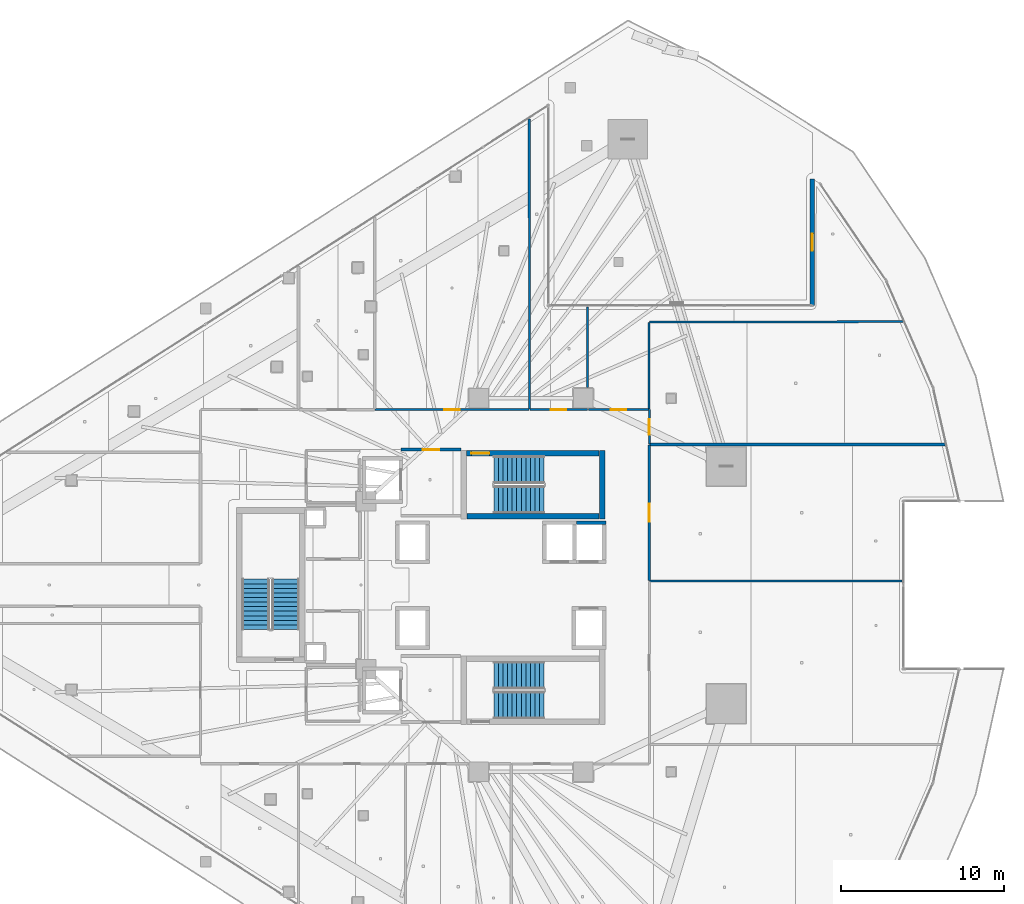
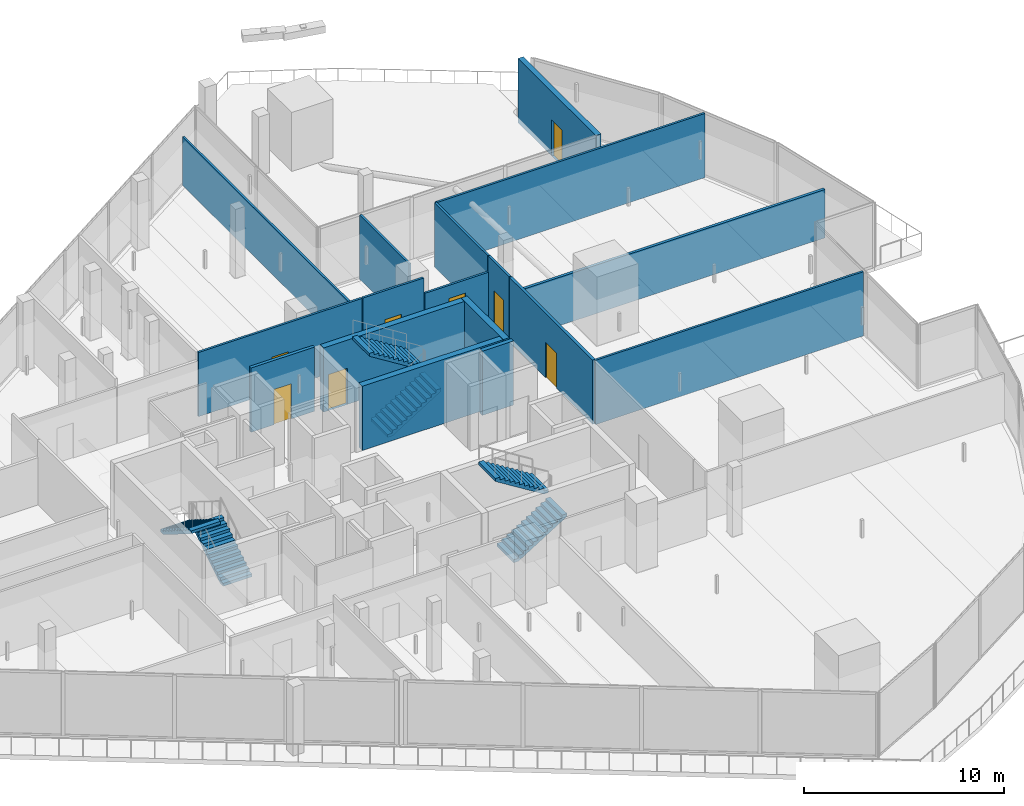
# One storey, part 33 of 47: 17 walls, 8 doors, 6 stair flights, 8 openings, 3 elements without a shape of their own.
"""IFC4 building model written with IfcOpenShell, lengths in metres."""

import ifcopenshell
import ifcopenshell.guid

model = None  # the IFC model being written
_history = None  # IfcOwnerHistory: only IFC2X3 demands one
_inside = {}  # id of a spatial element -> (the spatial element, [elements in it])
_under = {}  # id of a project, library or spatial element -> (it, [spatial elements below it])
_declared = {}  # id of a project -> (the project, [libraries it declares])
_typed = {}  # id of a type object -> (the type object, [elements of that type])
_made_of = {}  # id of a material, layer set ... -> (it, [elements and type objects made of it])


def new_model(schema):
    """Start an empty IFC model of exactly this schema.

    Asked for "IFC4X3", IfcOpenShell would pick the latest addendum, in which some entities
    have other attributes; the version numbers below select the first issue.
    IFC2X3 requires an IfcOwnerHistory on every rooted entity: one is made here for all.
    """
    global model, _history
    if schema == "IFC4X3":
        model = ifcopenshell.file(schema_version=(4, 3, 0, 0))
    else:
        model = ifcopenshell.file(schema=schema)
    _inside.clear()
    _under.clear()
    _declared.clear()
    _typed.clear()
    _made_of.clear()
    _history = None
    if model.schema == "IFC2X3":
        org = make("IfcOrganization", Name="unknown")
        user = make(
            "IfcPersonAndOrganization",
            ThePerson=make("IfcPerson", FamilyName="unknown"),
            TheOrganization=org,
        )
        app = make(
            "IfcApplication",
            ApplicationDeveloper=org,
            Version="unknown",
            ApplicationFullName="unknown",
            ApplicationIdentifier="unknown",
        )
        _history = make(
            "IfcOwnerHistory",
            OwningUser=user,
            OwningApplication=app,
            ChangeAction="ADDED",
            CreationDate=0,
        )
    return model


def make(cls, **values):
    """One entity of the class cls with the attributes given. An attribute that is None is left unset."""
    return model.create_entity(
        cls, **{name: value for name, value in values.items() if value is not None}
    )


def rooted(cls, **values):
    """An entity with a GlobalId (a new one), such as an element, a storey or a relation."""
    return make(cls, GlobalId=ifcopenshell.guid.new(), OwnerHistory=_history, **values)


def si_unit(unit_type, name, prefix=None):
    """IfcSIUnit, for example si_unit("LENGTHUNIT", "METRE", prefix="MILLI")."""
    return make("IfcSIUnit", UnitType=unit_type, Prefix=prefix, Name=name)


def assignment(units):
    """IfcUnitAssignment: the units of a project."""
    return None if units is None else make("IfcUnitAssignment", Units=units)


def point(xyz):
    """IfcCartesianPoint."""
    return None if xyz is None else make("IfcCartesianPoint", Coordinates=xyz)


def direction(xyz):
    """IfcDirection."""
    return None if xyz is None else make("IfcDirection", DirectionRatios=xyz)


def frame(location, z_axis=None, x_axis=None):
    """IfcAxis2Placement3D, a coordinate frame: its origin and axes. An axis left out is left unset."""
    return make(
        "IfcAxis2Placement3D",
        Location=point(location),
        Axis=direction(z_axis),
        RefDirection=direction(x_axis),
    )


def frame_2d(location, x_axis=None):
    """IfcAxis2Placement2D, a coordinate frame in the plane: its origin and x axis."""
    return make(
        "IfcAxis2Placement2D", Location=point(location), RefDirection=direction(x_axis)
    )


def origin():
    """The frame at (0, 0, 0) with its axes left unset."""
    return frame((0.0, 0.0, 0.0))


def place(relative_to, where):
    """IfcLocalPlacement: puts the frame where relative to a parent placement (None: the world)."""
    return make(
        "IfcLocalPlacement", PlacementRelTo=relative_to, RelativePlacement=where
    )


def context(
    kind, dimensions, precision=None, world=None, true_north=None, identifier=None
):
    """IfcGeometricRepresentationContext, for example the 3D "Model" context."""
    return make(
        "IfcGeometricRepresentationContext",
        ContextIdentifier=identifier,
        ContextType=kind,
        CoordinateSpaceDimension=dimensions,
        Precision=precision,
        WorldCoordinateSystem=world,
        TrueNorth=true_north,
    )


def subcontext(parent, identifier, kind, view, scale=None):
    """IfcGeometricRepresentationSubContext, for example "Body" below "Model"."""
    return make(
        "IfcGeometricRepresentationSubContext",
        ContextIdentifier=identifier,
        ContextType=kind,
        ParentContext=parent,
        TargetScale=scale,
        TargetView=view,
    )


def project(units=None, contexts=None):
    """IfcProject with its units and contexts."""
    return rooted(
        "IfcProject",
        Name="project",
        RepresentationContexts=contexts,
        UnitsInContext=assignment(units),
    )


def spatial(cls, under=None, at=None, **own):
    """A site, building, storey or space (cls), placed at a placement, below another one or the project."""
    s = rooted(cls, ObjectPlacement=at, **own)
    if under is not None:
        _under.setdefault(under.id(), (under, []))[1].append(s)
    return s


def polyline(points):
    """IfcPolyline through the points."""
    return make("IfcPolyline", Points=[point(p) for p in points])


def profile(cls, at=None, kind="AREA", **sizes):
    """A parametric profile (cls). Its sizes go by their IFC names, for example OverallWidth=200.0."""
    return make(cls, ProfileType=kind, Position=at, **sizes)


def rectangle(**sizes):
    """IfcRectangleProfileDef."""
    return profile("IfcRectangleProfileDef", **sizes)


def outline(outer, holes=None, kind="AREA"):
    """IfcArbitraryClosedProfileDef: a profile drawn as a closed curve; with holes, ...WithVoids."""
    if holes is None:
        return make("IfcArbitraryClosedProfileDef", ProfileType=kind, OuterCurve=outer)
    return make(
        "IfcArbitraryProfileDefWithVoids",
        ProfileType=kind,
        OuterCurve=outer,
        InnerCurves=holes,
    )


def extrude(swept, where, along, depth):
    """IfcExtrudedAreaSolid: the profile swept, set in the frame where, extruded along a direction by depth."""
    return make(
        "IfcExtrudedAreaSolid",
        SweptArea=swept,
        Position=where,
        ExtrudedDirection=direction(along),
        Depth=depth,
    )


def shape(context_of_items, identifier, shape_type, items):
    """IfcShapeRepresentation: the items that make up one representation, for example the "Body"."""
    return make(
        "IfcShapeRepresentation",
        ContextOfItems=context_of_items,
        RepresentationIdentifier=identifier,
        RepresentationType=shape_type,
        Items=items,
    )


def material(Name=None, Category=None):
    """IfcMaterial."""
    return make("IfcMaterial", Name=Name, Category=Category)


def layer(
    of_material, thickness, ventilated=None, Name=None, Category=None, Priority=None
):
    """IfcMaterialLayer: one layer of a wall or slab, of a material (None: an air gap)."""
    return make(
        "IfcMaterialLayer",
        Material=of_material,
        LayerThickness=thickness,
        IsVentilated=ventilated,
        Name=Name,
        Category=Category,
        Priority=Priority,
    )


def layer_set(layers, Name=None):
    """IfcMaterialLayerSet."""
    return make("IfcMaterialLayerSet", MaterialLayers=layers, LayerSetName=Name)


def made_of(thing, what):
    """Note that an element or type object is made of a material, layer set ...; save() writes the relation."""
    if what is not None:
        _made_of.setdefault(what.id(), (what, []))[1].append(thing)
    return thing


def type_object(cls, material=None, **own):
    """A type object (cls), such as IfcWallType, which elements share."""
    return made_of(rooted(cls, **own), material)


def element(
    cls,
    number,
    at=None,
    inside=None,
    cuts=None,
    type_object=None,
    material=None,
    context=None,
    identifier="Body",
    shape_type=None,
    held_by="IfcProductDefinitionShape",
    body=None,
    shapes=None,
    **own,
):
    """One element of the class cls, such as IfcWall. Its Tag is "e" and its number.

    at: its placement. inside: the storey or other place that contains it. cuts: it is an
    opening in that element (IfcRelVoidsElement). A single representation is given by context,
    identifier, shape_type and body (its items); several are given by shapes. held_by: the class
    of the entity that holds the representations. save() writes the other relations.
    """
    e = rooted(cls, Tag="e%d" % number, ObjectPlacement=at, **own)
    if body is not None:
        shapes = [shape(context, identifier, shape_type, body)]
    if shapes is not None:
        e.Representation = make(held_by, Representations=shapes)
    if inside is not None:
        _inside.setdefault(inside.id(), (inside, []))[1].append(e)
    if cuts is not None:
        rooted(
            "IfcRelVoidsElement", RelatingBuildingElement=cuts, RelatedOpeningElement=e
        )
    if type_object is not None:
        _typed.setdefault(type_object.id(), (type_object, []))[1].append(e)
    return made_of(e, material)


def fill(opening, filler):
    """IfcRelFillsElement: the door or window that sits in an opening."""
    return rooted(
        "IfcRelFillsElement",
        RelatingOpeningElement=opening,
        RelatedBuildingElement=filler,
    )


def aggregate(whole, parts):
    """IfcRelAggregates: a whole, such as a stair, and the parts it consists of."""
    return rooted("IfcRelAggregates", RelatingObject=whole, RelatedObjects=parts)


def save(model, path):
    """Write the relations noted so far, then the file.

    IfcRelAggregates (storeys below a building ...), IfcRelContainedInSpatialStructure (elements
    in a storey), IfcRelDefinesByType, IfcRelAssociatesMaterial and IfcRelDeclares: one each for
    every whole, place, type object, material and project.
    """
    for whole, parts in _under.values():
        aggregate(whole, parts)
    for where, things in _inside.values():
        rooted(
            "IfcRelContainedInSpatialStructure",
            RelatedElements=things,
            RelatingStructure=where,
        )
    for kind, things in _typed.values():
        rooted("IfcRelDefinesByType", RelatedObjects=things, RelatingType=kind)
    for what, things in _made_of.values():
        rooted("IfcRelAssociatesMaterial", RelatedObjects=things, RelatingMaterial=what)
    for by, libraries in _declared.values():
        rooted("IfcRelDeclares", RelatingContext=by, RelatedDefinitions=libraries)
    model.write(path)


model = new_model("IFC4")

# Units and contexts
model_context = context("Model", 3, precision=1e-05, world=origin(), true_north=direction((0.0, 1.0)))
body_context = subcontext(model_context, "Body", "Model", "MODEL_VIEW")
ifc_project = project(units=[si_unit("LENGTHUNIT", "METRE"), si_unit("AREAUNIT", "SQUARE_METRE"), si_unit("VOLUMEUNIT", "CUBIC_METRE"), si_unit("PLANEANGLEUNIT", "RADIAN"), si_unit("MASSUNIT", "GRAM", prefix="KILO")], contexts=[model_context])

# Site, building, storey
site_placement = place(None, origin())
site = spatial("IfcSite", under=ifc_project, at=site_placement, CompositionType="ELEMENT")
building_placement = place(site_placement, origin())
building = spatial("IfcBuilding", under=site, at=building_placement, Name="Qorvath Tower", CompositionType="ELEMENT")
storey_placement = place(building_placement, frame((0.0, 0.0, 82.800048828125)))
storey = spatial("IfcBuildingStorey", under=building, at=storey_placement, Name="L18", CompositionType="ELEMENT", Elevation=82.800048828125)

# Wall, opening, door
ifc_material_1 = material(Name="Gypsum shaftliner on steel studs", Category="steel")
ifc_layer_1 = layer(ifc_material_1, 0.179931640625)
ifc_layer_set_1 = layer_set([ifc_layer_1], Name="FW-LOBBY")
wall_type_1 = type_object("IfcWallType", Name="FW-LOBBY", PredefinedType="PARTITIONING", material=ifc_layer_set_1)
wall_1_placement = place(storey_placement, frame((-24.68408203125, 8.300048828125, 0.0), z_axis=(0.0, 0.0, 1.0), x_axis=(-1.0, 0.0, 0.0)))
wall_1 = element("IfcWall", 1, at=wall_1_placement, inside=storey, type_object=wall_type_1, Name="Interior Partition IW-T1-L18-002", PredefinedType="PARTITIONING", context=body_context, shape_type="SweptSolid", body=[
    extrude(rectangle(XDim=3.6708984375, YDim=0.179931640625, at=frame_2d((1.83544921875, 0.0))), origin(), (0.0, 0.0, 1.0), 3.919921875),
])
opening_1_placement = place(wall_1_placement, frame((1.33544921875, 0.0, 0.0)))
opening_1 = element("IfcOpeningElement", 2, at=opening_1_placement, cuts=wall_1, Name="Opening D-T1-L18-18", PredefinedType="OPENING", context=body_context, shape_type="SweptSolid", body=[
    extrude(rectangle(XDim=1.0, YDim=2.14990234375, at=frame_2d((0.5, 1.074951171875))), frame((0.0, 0.10009765625, 0.0), z_axis=(0.0, -1.0, 0.0), x_axis=(1.0, 0.0, 0.0)), (0.0, 0.0, 1.0), 0.199951171875),
])
ifc_material_2 = material(Name="Painted galvanised hollow metal", Category="steel")
door_type_1 = type_object("IfcDoorType", Name="FD-60", OperationType="NOTDEFINED", PredefinedType="DOOR", material=ifc_material_2)
door_1_placement = place(opening_1_placement, origin())
door_1 = element("IfcDoor", 3, at=door_1_placement, inside=storey, type_object=door_type_1, Name="Lobby Fire Service Elevator North Door D-T1-L18-18", OperationType="SINGLE_SWING_LEFT", OverallHeight=2.14990234375, OverallWidth=1.0, PredefinedType="DOOR", context=body_context, shape_type="SweptSolid", body=[
    extrude(rectangle(XDim=1.0, YDim=2.14990234375, at=frame_2d((0.5, 1.074951171875))), frame((0.0, 0.02490234375, 0.0), z_axis=(0.0, -1.0, 0.0), x_axis=(1.0, 0.0, 0.0)), (0.0, 0.0, 1.0), 0.050048828125),
])
fill(opening_1, door_1)

# Wall
ifc_material_3 = material(Name="Double acoustic gypsum board on steel studs", Category="steel")
ifc_layer_2 = layer(ifc_material_3, 0.159912109375)
ifc_layer_set_2 = layer_set([ifc_layer_2], Name="IW-ACOUSTIC-160")
wall_type_2 = type_object("IfcWallType", Name="IW-ACOUSTIC-160", PredefinedType="PARTITIONING", material=ifc_layer_set_2)
wall_2_placement = place(storey_placement, frame((4.977783203125, 8.62109375, 0.0), z_axis=(0.0, 0.0, 1.0), x_axis=(-1.0, 0.0, 0.0)))
element("IfcWall", 4, at=wall_2_placement, inside=storey, type_object=wall_type_2, Name="Interior Partition IW-T1-L18-042", PredefinedType="PARTITIONING", context=body_context, shape_type="SweptSolid", body=[
    extrude(rectangle(XDim=18.094970703125, YDim=0.159912109375, at=frame_2d((9.04736328125, 0.0))), origin(), (0.0, 0.0, 1.0), 2.956787109375),
])

# Wall, opening, door
wall_3_placement = place(storey_placement, frame((-13.14208984375, 8.59619140625, 0.0), z_axis=(0.0, 0.0, 1.0), x_axis=(0.0, -1.0, 0.0)))
wall_3 = element("IfcWall", 5, at=wall_3_placement, inside=storey, type_object=wall_type_2, Name="Interior Partition IW-T1-L18-043", PredefinedType="PARTITIONING", context=body_context, shape_type="SweptSolid", body=[
    extrude(rectangle(XDim=8.322265625, YDim=0.159912109375, at=frame_2d((4.1611328125, 0.0))), origin(), (0.0, 0.0, 1.0), 3.919921875),
])
opening_2_placement = place(wall_3_placement, frame((3.611083984375, 0.0, 0.0)))
opening_2 = element("IfcOpeningElement", 6, at=opening_2_placement, cuts=wall_3, Name="Opening D-T1-L18-13", PredefinedType="OPENING", context=body_context, shape_type="SweptSolid", body=[
    extrude(rectangle(XDim=1.10009765625, YDim=2.14990234375, at=frame_2d((0.550048828125, 1.074951171875))), frame((0.0, 0.08984375, 0.0), z_axis=(0.0, -1.0, 0.0), x_axis=(1.0, 0.0, 0.0)), (0.0, 0.0, 1.0), 0.179931640625),
])
ifc_material_4 = material(Name="Anodised aluminium acoustic framed glass", Category="aluminium")
door_type_2 = type_object("IfcDoorType", Name="D-03", OperationType="NOTDEFINED", PredefinedType="DOOR", material=ifc_material_4)
door_2_placement = place(opening_2_placement, origin())
door_2 = element("IfcDoor", 7, at=door_2_placement, inside=storey, type_object=door_type_2, Name="L18-09 Enclosed Conference Suite Door D-T1-L18-13", OperationType="SINGLE_SWING_RIGHT", OverallHeight=2.14990234375, OverallWidth=1.10009765625, PredefinedType="DOOR", context=body_context, shape_type="SweptSolid", body=[
    extrude(rectangle(XDim=1.10009765625, YDim=2.14990234375, at=frame_2d((0.550048828125, 1.074951171875))), frame((0.0, 0.02490234375, 0.0), z_axis=(0.0, -1.0, 0.0), x_axis=(1.0, 0.0, 0.0)), (0.0, 0.0, 1.0), 0.050048828125),
])
fill(opening_2, door_2)

ifc_material_5 = material(Name="Gypsum board on metal studs with mineral wool", Category="gypsum")
ifc_layer_3 = layer(ifc_material_5, 0.125)
ifc_layer_set_3 = layer_set([ifc_layer_3], Name="IW-PART-125")
wall_type_3 = type_object("IfcWallType", Name="IW-PART-125", PredefinedType="PARTITIONING", material=ifc_layer_set_3)
wall_4_placement = place(storey_placement, frame((-29.94580078125, 10.758056640625, 0.0), z_axis=(0.0, 0.0, 1.0), x_axis=(1.0, 0.0, 0.0)))
wall_4 = element("IfcWall", 8, at=wall_4_placement, inside=storey, type_object=wall_type_3, Name="Interior Partition IW-T1-L18-023", PredefinedType="PARTITIONING", context=body_context, shape_type="SweptSolid", body=[
    extrude(rectangle(XDim=9.42138671875, YDim=0.125, at=frame_2d((4.710693359375, 0.0))), origin(), (0.0, 0.0, 1.0), 3.919921875),
])
opening_3_placement = place(wall_4_placement, frame((4.235595703125, 0.0, 0.0)))
opening_3 = element("IfcOpeningElement", 9, at=opening_3_placement, cuts=wall_4, Name="Opening D-T1-L18-06", PredefinedType="OPENING", context=body_context, shape_type="SweptSolid", body=[
    extrude(rectangle(XDim=0.949951171875, YDim=2.14990234375, at=frame_2d((0.47509765625, 1.074951171875))), frame((0.0, 0.072509765625, 0.0), z_axis=(0.0, -1.0, 0.0), x_axis=(1.0, 0.0, 0.0)), (0.0, 0.0, 1.0), 0.14501953125),
])
ifc_material_6 = material(Name="Solid-core American white oak veneer", Category="wood")
door_type_3 = type_object("IfcDoorType", Name="D-01", OperationType="NOTDEFINED", PredefinedType="DOOR", material=ifc_material_6)
door_3_placement = place(opening_3_placement, origin())
door_3 = element("IfcDoor", 10, at=door_3_placement, inside=storey, type_object=door_type_3, Name="L18-02 Project Collaboration Workspace Door D-T1-L18-06", OperationType="SINGLE_SWING_LEFT", OverallHeight=2.14990234375, OverallWidth=0.949951171875, PredefinedType="DOOR", context=body_context, shape_type="SweptSolid", body=[
    extrude(rectangle(XDim=0.949951171875, YDim=2.14990234375, at=frame_2d((0.47509765625, 1.074951171875))), frame((0.0, 0.02490234375, 0.0), z_axis=(0.0, -1.0, 0.0), x_axis=(1.0, 0.0, 0.0)), (0.0, 0.0, 1.0), 0.050048828125),
])
fill(opening_3, door_3)

# Wall
wall_5_placement = place(storey_placement, frame((-20.499267578125, 10.783203125, 0.0), z_axis=(0.0, 0.0, 1.0), x_axis=(-0.000246947448, 0.999999969508, 0.0)))
element("IfcWall", 11, at=wall_5_placement, inside=storey, type_object=wall_type_3, Name="Interior Partition IW-T1-L18-024", PredefinedType="PARTITIONING", context=body_context, shape_type="SweptSolid", body=[
    extrude(rectangle(XDim=17.79541015625, YDim=0.125, at=frame_2d((8.897705078125, 0.0))), origin(), (0.0, 0.0, 1.0), 2.956787109375),
])

# Wall, opening, door
wall_6_placement = place(storey_placement, frame((-20.46630859375, 10.758056640625, 0.0), z_axis=(0.0, 0.0, 1.0), x_axis=(1.0, 0.0, 0.0)))
wall_6 = element("IfcWall", 12, at=wall_6_placement, inside=storey, type_object=wall_type_3, Name="Interior Partition IW-T1-L18-025", PredefinedType="PARTITIONING", context=body_context, shape_type="SweptSolid", body=[
    extrude(rectangle(XDim=3.522705078125, YDim=0.125, at=frame_2d((1.76123046875, 0.0))), origin(), (0.0, 0.0, 1.0), 3.919921875),
])
opening_4_placement = place(wall_6_placement, frame((1.286376953125, 0.0, 0.0)))
opening_4 = element("IfcOpeningElement", 13, at=opening_4_placement, cuts=wall_6, Name="Opening D-T1-L18-07", PredefinedType="OPENING", context=body_context, shape_type="SweptSolid", body=[
    extrude(rectangle(XDim=0.949951171875, YDim=2.14990234375, at=frame_2d((0.47509765625, 1.074951171875))), frame((0.0, 0.072509765625, 0.0), z_axis=(0.0, -1.0, 0.0), x_axis=(1.0, 0.0, 0.0)), (0.0, 0.0, 1.0), 0.14501953125),
])
door_4_placement = place(opening_4_placement, origin())
door_4 = element("IfcDoor", 14, at=door_4_placement, inside=storey, type_object=door_type_3, Name="L18-03 Design Pin-Up Atelier Door D-T1-L18-07", OperationType="SINGLE_SWING_RIGHT", OverallHeight=2.14990234375, OverallWidth=0.949951171875, PredefinedType="DOOR", context=body_context, shape_type="SweptSolid", body=[
    extrude(rectangle(XDim=0.949951171875, YDim=2.14990234375, at=frame_2d((0.47509765625, 1.074951171875))), frame((0.0, 0.02490234375, 0.0), z_axis=(0.0, -1.0, 0.0), x_axis=(1.0, 0.0, 0.0)), (0.0, 0.0, 1.0), 0.050048828125),
])
fill(opening_4, door_4)

# Wall
wall_7_placement = place(storey_placement, frame((-16.918701171875, 12.114990234375, 0.0), z_axis=(0.0, 0.0, 1.0), x_axis=(0.0, 1.0, 0.0)))
element("IfcWall", 15, at=wall_7_placement, inside=storey, type_object=wall_type_3, Name="Interior Partition IW-T1-L18-026", PredefinedType="PARTITIONING", context=body_context, shape_type="SweptSolid", body=[
    extrude(rectangle(XDim=4.94091796875, YDim=0.125, at=frame_2d((2.470458984375, 0.0))), origin(), (0.0, 0.0, 1.0), 3.919921875),
])

# Wall, opening, door
wall_8_placement = place(storey_placement, frame((-16.885498046875, 10.758056640625, 0.0), z_axis=(0.0, 0.0, 1.0), x_axis=(1.0, 0.0, 0.0)))
wall_8 = element("IfcWall", 16, at=wall_8_placement, inside=storey, type_object=wall_type_3, Name="Interior Partition IW-T1-L18-027", PredefinedType="PARTITIONING", context=body_context, shape_type="SweptSolid", body=[
    extrude(rectangle(XDim=3.710693359375, YDim=0.125, at=frame_2d((1.85546875, 0.0))), origin(), (0.0, 0.0, 1.0), 2.956787109375),
])
opening_5_placement = place(wall_8_placement, frame((1.38037109375, 0.0, 0.0)))
opening_5 = element("IfcOpeningElement", 17, at=opening_5_placement, cuts=wall_8, Name="Opening D-T1-L18-08", PredefinedType="OPENING", context=body_context, shape_type="SweptSolid", body=[
    extrude(rectangle(XDim=0.949951171875, YDim=2.14990234375, at=frame_2d((0.47509765625, 1.074951171875))), frame((0.0, 0.072509765625, 0.0), z_axis=(0.0, -1.0, 0.0), x_axis=(1.0, 0.0, 0.0)), (0.0, 0.0, 1.0), 0.14501953125),
])
door_5_placement = place(opening_5_placement, origin())
door_5 = element("IfcDoor", 18, at=door_5_placement, inside=storey, type_object=door_type_3, Name="L18-04 Executive Partner Office Door D-T1-L18-08", OperationType="SINGLE_SWING_LEFT", OverallHeight=2.14990234375, OverallWidth=0.949951171875, PredefinedType="DOOR", context=body_context, shape_type="SweptSolid", body=[
    extrude(rectangle(XDim=0.949951171875, YDim=2.14990234375, at=frame_2d((0.47509765625, 1.074951171875))), frame((0.0, 0.02490234375, 0.0), z_axis=(0.0, -1.0, 0.0), x_axis=(1.0, 0.0, 0.0)), (0.0, 0.0, 1.0), 0.050048828125),
])
fill(opening_5, door_5)

# Walls
wall_9_placement = place(storey_placement, frame((-13.14990234375, 16.09716796875, 0.0), z_axis=(0.0, 0.0, 1.0), x_axis=(0.0, -1.0, 0.0)))
element("IfcWall", 19, at=wall_9_placement, inside=storey, type_object=wall_type_3, Name="Interior Partition IW-T1-L18-028", PredefinedType="PARTITIONING", context=body_context, shape_type="SweptSolid", body=[
    extrude(rectangle(XDim=5.31396484375, YDim=0.125, at=frame_2d((2.656982421875, 0.0))), origin(), (0.0, 0.0, 1.0), 3.919921875),
])
wall_10_placement = place(storey_placement, frame((-13.125, 16.1220703125, 0.0), z_axis=(0.0, 0.0, 1.0), x_axis=(0.999998337118, 0.001823666946, 0.0)))
element("IfcWall", 20, at=wall_10_placement, inside=storey, type_object=wall_type_3, Name="Interior Partition IW-T1-L18-029", PredefinedType="PARTITIONING", context=body_context, shape_type="SweptSolid", body=[
    extrude(rectangle(XDim=15.529296875, YDim=0.125, at=frame_2d((7.7646484375, 0.0))), origin(), (0.0, 0.0, 1.0), 3.919921875),
])
wall_11_placement = place(storey_placement, frame((2.35400390625, 0.240966796875, 0.0), z_axis=(0.0, 0.0, 1.0), x_axis=(-1.0, 0.0, 0.0)))
element("IfcWall", 21, at=wall_11_placement, inside=storey, type_object=wall_type_3, Name="Interior Partition IW-T1-L18-040", PredefinedType="PARTITIONING", context=body_context, shape_type="SweptSolid", body=[
    extrude(rectangle(XDim=15.47119140625, YDim=0.125, at=frame_2d((7.735595703125, 0.0))), origin(), (0.0, 0.0, 1.0), 3.919921875),
])

# Wall, opening, door
wall_12_placement = place(storey_placement, frame((-13.14208984375, 10.75830078125, 0.0), z_axis=(0.0, 0.0, 1.0), x_axis=(0.0, -1.0, 0.0)))
wall_12 = element("IfcWall", 22, at=wall_12_placement, inside=storey, type_object=wall_type_3, Name="Interior Partition IW-T1-L18-044", PredefinedType="PARTITIONING", context=body_context, shape_type="SweptSolid", body=[
    extrude(rectangle(XDim=2.1044921875, YDim=0.125, at=frame_2d((1.05224609375, 0.0))), origin(), (0.0, 0.0, 1.0), 3.919921875),
])
opening_6_placement = place(wall_12_placement, frame((0.5771484375, 0.0, 0.0)))
opening_6 = element("IfcOpeningElement", 23, at=opening_6_placement, cuts=wall_12, Name="Opening D-T1-L18-14", PredefinedType="OPENING", context=body_context, shape_type="SweptSolid", body=[
    extrude(rectangle(XDim=0.949951171875, YDim=2.14990234375, at=frame_2d((0.47509765625, 1.074951171875))), frame((0.0, 0.072509765625, 0.0), z_axis=(0.0, -1.0, 0.0), x_axis=(1.0, 0.0, 0.0)), (0.0, 0.0, 1.0), 0.14501953125),
])
door_6_placement = place(opening_6_placement, origin())
door_6 = element("IfcDoor", 24, at=door_6_placement, inside=storey, type_object=door_type_3, Name="L18-10 Focus Collaboration Pod Door D-T1-L18-14", OperationType="SINGLE_SWING_LEFT", OverallHeight=2.14990234375, OverallWidth=0.949951171875, PredefinedType="DOOR", context=body_context, shape_type="SweptSolid", body=[
    extrude(rectangle(XDim=0.949951171875, YDim=2.14990234375, at=frame_2d((0.47509765625, 1.074951171875))), frame((0.0, 0.02490234375, 0.0), z_axis=(0.0, -1.0, 0.0), x_axis=(1.0, 0.0, 0.0)), (0.0, 0.0, 1.0), 0.050048828125),
])
fill(opening_6, door_6)

# Walls
ifc_material_7 = material(Name="Concrete C60/75", Category="concrete")
ifc_layer_4 = layer(ifc_material_7, 0.260009765625)
ifc_layer_set_4 = layer_set([ifc_layer_4], Name="SW-SHAFT")
wall_type_4 = type_object("IfcWallType", Name="SW-SHAFT", PredefinedType="SHEAR", material=ifc_layer_set_4)
wall_13_placement = place(storey_placement, frame((-17.610107421875, 3.820068359375, 0.0), z_axis=(0.0, 0.0, 1.0), x_axis=(1.0, 0.0, 0.0)))
element("IfcWall", 25, at=wall_13_placement, inside=storey, type_object=wall_type_4, Name="Hoistway Wall PL-3 L18 N", PredefinedType="SHEAR", context=body_context, shape_type="SweptSolid", body=[
    extrude(rectangle(XDim=1.800048828125, YDim=0.239990234375, at=frame_2d((0.89990234375, 0.0))), origin(), (0.0, 0.0, 1.0), 3.919921875),
])
ifc_material_8 = material(Name="Concrete C60/75", Category="concrete")
ifc_layer_5 = layer(ifc_material_8, 0.35009765625)
ifc_layer_set_5 = layer_set([ifc_layer_5], Name="SW-STAIR")
wall_type_5 = type_object("IfcWallType", Name="SW-STAIR", PredefinedType="SHEAR", material=ifc_layer_set_5)
wall_14_placement = place(storey_placement, frame((-16.02490234375, 4.050048828125, 0.0), z_axis=(0.0, 0.0, 1.0), x_axis=(0.0, 1.0, 0.0)))
element("IfcWall", 26, at=wall_14_placement, inside=storey, type_object=wall_type_5, Name="Stair TS1 Shear Wall L18 FAR", PredefinedType="SHEAR", context=body_context, shape_type="SweptSolid", body=[
    extrude(rectangle(XDim=4.2099609375, YDim=0.35009765625, at=frame_2d((2.10498046875, 0.0))), origin(), (0.0, 0.0, 1.0), 3.919921875),
])
wall_15_placement = place(storey_placement, frame((-24.3349609375, 4.22509765625, 0.0), z_axis=(0.0, 0.0, 1.0), x_axis=(1.0, 0.0, 0.0)))
element("IfcWall", 27, at=wall_15_placement, inside=storey, type_object=wall_type_5, Name="Stair TS1 Shear Wall L18 LEFT", PredefinedType="SHEAR", context=body_context, shape_type="SweptSolid", body=[
    extrude(rectangle(XDim=8.119873046875, YDim=0.35009765625, at=frame_2d((4.06005859375, 0.0))), origin(), (0.0, 0.0, 1.0), 3.919921875),
])

# Wall, opening, door
wall_16_placement = place(storey_placement, frame((-16.215087890625, 8.0849609375, 0.0), z_axis=(0.0, 0.0, 1.0), x_axis=(-1.0, 0.0, 0.0)))
wall_16 = element("IfcWall", 28, at=wall_16_placement, inside=storey, type_object=wall_type_5, Name="Stair TS1 Shear Wall L18 RIGHT", PredefinedType="SHEAR", context=body_context, shape_type="SweptSolid", body=[
    extrude(rectangle(XDim=8.119873046875, YDim=0.35009765625, at=frame_2d((4.06005859375, 0.0))), origin(), (0.0, 0.0, 1.0), 3.919921875),
])
opening_7_placement = place(wall_16_placement, frame((6.739990234375, 0.0, 0.0)))
opening_7 = element("IfcOpeningElement", 29, at=opening_7_placement, cuts=wall_16, Name="Opening D-TS1-L18", PredefinedType="OPENING", context=body_context, shape_type="SweptSolid", body=[
    extrude(rectangle(XDim=1.10009765625, YDim=2.199951171875, at=frame_2d((0.550048828125, 1.10009765625))), frame((0.0, 0.18505859375, 0.0), z_axis=(0.0, -1.0, 0.0), x_axis=(1.0, 0.0, 0.0)), (0.0, 0.0, 1.0), 0.3701171875),
])
ifc_material_9 = material(Name="Painted galvanised hollow metal", Category="steel")
door_type_4 = type_object("IfcDoorType", Name="FD-90", OperationType="NOTDEFINED", PredefinedType="DOOR", material=ifc_material_9)
door_7_placement = place(opening_7_placement, origin())
door_7 = element("IfcDoor", 30, at=door_7_placement, inside=storey, type_object=door_type_4, Name="Stair TS1 Fire Door L18", OperationType="SINGLE_SWING_LEFT", OverallHeight=2.199951171875, OverallWidth=1.10009765625, PredefinedType="DOOR", context=body_context, shape_type="SweptSolid", body=[
    extrude(rectangle(XDim=1.10009765625, YDim=2.199951171875, at=frame_2d((0.550048828125, 1.10009765625))), frame((0.0, 0.02490234375, 0.0), z_axis=(0.0, -1.0, 0.0), x_axis=(1.0, 0.0, 0.0)), (0.0, 0.0, 1.0), 0.050048828125),
])
fill(opening_7, door_7)

ifc_material_10 = material(Name="Precast concrete C45/55", Category="concrete")
ifc_layer_6 = layer(ifc_material_10, 0.300048828125)
ifc_layer_set_6 = layer_set([ifc_layer_6], Name="WL-EW-LOG-300")
wall_type_6 = type_object("IfcWallType", Name="WL-EW-LOG-300", PredefinedType="SOLIDWALL", material=ifc_layer_set_6)
wall_17_placement = place(storey_placement, frame((-3.152099609375, 24.905517578125, 0.0), z_axis=(0.0, 0.0, 1.0), x_axis=(0.0, -1.0, 0.0)))
wall_17 = element("IfcWall", 31, at=wall_17_placement, inside=storey, type_object=wall_type_6, Name="Tower Precast Loggia Wall L18-1.1", PredefinedType="SOLIDWALL", context=body_context, shape_type="SweptSolid", body=[
    extrude(rectangle(XDim=7.76953125, YDim=0.300048828125, at=frame_2d((3.884765625, 0.0))), origin(), (0.0, 0.0, 1.0), 3.919921875),
])
opening_8_placement = place(wall_17_placement, frame((3.35986328125, 0.0, 0.0)))
opening_8 = element("IfcOpeningElement", 32, at=opening_8_placement, cuts=wall_17, Name="Opening ED-L18-01", PredefinedType="OPENING", context=body_context, shape_type="SweptSolid", body=[
    extrude(rectangle(XDim=1.050048828125, YDim=2.199951171875, at=frame_2d((0.52490234375, 1.10009765625))), frame((0.0, 0.16015625, 0.0), z_axis=(0.0, -1.0, 0.0), x_axis=(1.0, 0.0, 0.0)), (0.0, 0.0, 1.0), 0.320068359375),
])
ifc_material_11 = material(Name="Thermally broken aluminium glazed door", Category="aluminium")
door_type_5 = type_object("IfcDoorType", Name="ED-LOG", OperationType="NOTDEFINED", PredefinedType="DOOR", material=ifc_material_11)
door_8_placement = place(opening_8_placement, origin())
door_8 = element("IfcDoor", 33, at=door_8_placement, inside=storey, type_object=door_type_5, Name="L18 Recessed Loggia Access Door 1", OperationType="SINGLE_SWING_LEFT", OverallHeight=2.199951171875, OverallWidth=1.050048828125, PredefinedType="DOOR", context=body_context, shape_type="SweptSolid", body=[
    extrude(rectangle(XDim=1.050048828125, YDim=2.199951171875, at=frame_2d((0.52490234375, 1.10009765625))), frame((0.0, 0.02490234375, 0.0), z_axis=(0.0, -1.0, 0.0), x_axis=(1.0, 0.0, 0.0)), (0.0, 0.0, 1.0), 0.050048828125),
])
fill(opening_8, door_8)

# Stair, stair flights
ifc_material_12 = material(Name="Concrete C50/60", Category="concrete")
stair_type = type_object("IfcStairType", Name="ST-H420", PredefinedType="HALF_TURN_STAIR", material=ifc_material_12)
stair_1_placement = place(storey_placement, origin())
stair_1 = element("IfcStair", 34, at=stair_1_placement, inside=storey, type_object=stair_type, Name="L18 Tower Exit Stair 1", PredefinedType="HALF_TURN_STAIR")
ifc_material_13 = material(Name="Concrete C50/60", Category="concrete")
ifc_layer_7 = layer(ifc_material_13, 0.14990234375)
ifc_layer_set_7 = layer_set([ifc_layer_7], Name="SF-H420")
stair_flight_type = type_object("IfcStairFlightType", Name="SF-H420", PredefinedType="STRAIGHT", material=ifc_layer_set_7)
stair_flight_1_placement = place(storey_placement, frame((-22.669921875, 5.239990234375, 0.0), z_axis=(0.0, 0.0, 1.0), x_axis=(1.0, 0.0, 0.0)))
stair_flight_1 = element("IfcStairFlight", 35, at=stair_flight_1_placement, type_object=stair_flight_type, Name="TS1 flight 1", NumberOfRisers=12, NumberOfTreads=11, PredefinedType="STRAIGHT", RiserHeight=0.175, TreadLength=0.28, context=body_context, shape_type="SweptSolid", body=[
    extrude(outline(polyline([(0.0, 0.0), (0.0, 0.175048828125), (0.280029296875, 0.175048828125), (0.280029296875, 0.35009765625), (0.56005859375, 0.35009765625), (0.56005859375, 0.52490234375), (0.840087890625, 0.52490234375), (0.840087890625, 0.699951171875), (1.1201171875, 0.699951171875), (1.1201171875, 0.875), (1.39990234375, 0.875), (1.39990234375, 1.050048828125), (1.679931640625, 1.050048828125), (1.679931640625, 1.22509765625), (1.9599609375, 1.22509765625), (1.9599609375, 1.39990234375), (2.239990234375, 1.39990234375), (2.239990234375, 1.574951171875), (2.52001953125, 1.574951171875), (2.52001953125, 1.75), (2.800048828125, 1.75), (2.800048828125, 1.925048828125), (3.080078125, 1.925048828125), (3.080078125, 2.10009765625), (3.080078125, 1.748291015625), (0.28271484375, 0.0), (0.0, 0.0)])), frame((0.0, 0.83984375, 0.0), z_axis=(0.0, -1.0, 0.0), x_axis=(1.0, 0.0, 0.0)), (0.0, 0.0, 1.0), 1.679931640625),
])
stair_flight_2_placement = place(storey_placement, frame((-19.590087890625, 7.070068359375, 2.099853515625), z_axis=(0.0, 0.0, 1.0), x_axis=(-1.0, 0.0, 0.0)))
stair_flight_2 = element("IfcStairFlight", 36, at=stair_flight_2_placement, type_object=stair_flight_type, Name="TS1 flight 2", NumberOfRisers=12, NumberOfTreads=11, PredefinedType="STRAIGHT", RiserHeight=0.175, TreadLength=0.28, context=body_context, shape_type="SweptSolid", body=[
    extrude(outline(polyline([(0.0, 0.0), (0.0, 0.175048828125), (0.280029296875, 0.175048828125), (0.280029296875, 0.35009765625), (0.56005859375, 0.35009765625), (0.56005859375, 0.52490234375), (0.840087890625, 0.52490234375), (0.840087890625, 0.699951171875), (1.1201171875, 0.699951171875), (1.1201171875, 0.875), (1.39990234375, 0.875), (1.39990234375, 1.050048828125), (1.679931640625, 1.050048828125), (1.679931640625, 1.22509765625), (1.9599609375, 1.22509765625), (1.9599609375, 1.39990234375), (2.239990234375, 1.39990234375), (2.239990234375, 1.574951171875), (2.52001953125, 1.574951171875), (2.52001953125, 1.75), (2.800048828125, 1.75), (2.800048828125, 1.925048828125), (3.080078125, 1.925048828125), (3.080078125, 2.10009765625), (3.080078125, 1.748291015625), (0.28271484375, 0.0), (0.0, 0.0)])), frame((0.0, 0.83984375, 0.0), z_axis=(0.0, -1.0, 0.0), x_axis=(1.0, 0.0, 0.0)), (0.0, 0.0, 1.0), 1.679931640625),
])
aggregate(stair_1, [stair_flight_1, stair_flight_2])

stair_2_placement = place(storey_placement, origin())
stair_2 = element("IfcStair", 37, at=stair_2_placement, inside=storey, type_object=stair_type, Name="L18 Tower Exit Stair 2", PredefinedType="HALF_TURN_STAIR")
stair_flight_3_placement = place(storey_placement, frame((-22.669921875, -7.360107421875, 0.0), z_axis=(0.0, 0.0, 1.0), x_axis=(1.0, 0.0, 0.0)))
stair_flight_3 = element("IfcStairFlight", 38, at=stair_flight_3_placement, type_object=stair_flight_type, Name="TS2 flight 1", NumberOfRisers=12, NumberOfTreads=11, PredefinedType="STRAIGHT", RiserHeight=0.175, TreadLength=0.28, context=body_context, shape_type="SweptSolid", body=[
    extrude(outline(polyline([(0.0, 0.0), (0.0, 0.175048828125), (0.280029296875, 0.175048828125), (0.280029296875, 0.35009765625), (0.56005859375, 0.35009765625), (0.56005859375, 0.52490234375), (0.840087890625, 0.52490234375), (0.840087890625, 0.699951171875), (1.1201171875, 0.699951171875), (1.1201171875, 0.875), (1.39990234375, 0.875), (1.39990234375, 1.050048828125), (1.679931640625, 1.050048828125), (1.679931640625, 1.22509765625), (1.9599609375, 1.22509765625), (1.9599609375, 1.39990234375), (2.239990234375, 1.39990234375), (2.239990234375, 1.574951171875), (2.52001953125, 1.574951171875), (2.52001953125, 1.75), (2.800048828125, 1.75), (2.800048828125, 1.925048828125), (3.080078125, 1.925048828125), (3.080078125, 2.10009765625), (3.080078125, 1.748291015625), (0.28271484375, 0.0), (0.0, 0.0)])), frame((0.0, 0.83984375, 0.0), z_axis=(0.0, -1.0, 0.0), x_axis=(1.0, 0.0, 0.0)), (0.0, 0.0, 1.0), 1.679931640625),
])
stair_flight_4_placement = place(storey_placement, frame((-19.590087890625, -5.530029296875, 2.099853515625), z_axis=(0.0, 0.0, 1.0), x_axis=(-1.0, 0.0, 0.0)))
stair_flight_4 = element("IfcStairFlight", 39, at=stair_flight_4_placement, type_object=stair_flight_type, Name="TS2 flight 2", NumberOfRisers=12, NumberOfTreads=11, PredefinedType="STRAIGHT", RiserHeight=0.175, TreadLength=0.28, context=body_context, shape_type="SweptSolid", body=[
    extrude(outline(polyline([(0.0, 0.0), (0.0, 0.175048828125), (0.280029296875, 0.175048828125), (0.280029296875, 0.35009765625), (0.56005859375, 0.35009765625), (0.56005859375, 0.52490234375), (0.840087890625, 0.52490234375), (0.840087890625, 0.699951171875), (1.1201171875, 0.699951171875), (1.1201171875, 0.875), (1.39990234375, 0.875), (1.39990234375, 1.050048828125), (1.679931640625, 1.050048828125), (1.679931640625, 1.22509765625), (1.9599609375, 1.22509765625), (1.9599609375, 1.39990234375), (2.239990234375, 1.39990234375), (2.239990234375, 1.574951171875), (2.52001953125, 1.574951171875), (2.52001953125, 1.75), (2.800048828125, 1.75), (2.800048828125, 1.925048828125), (3.080078125, 1.925048828125), (3.080078125, 2.10009765625), (3.080078125, 1.748291015625), (0.28271484375, 0.0), (0.0, 0.0)])), frame((0.0, 0.83984375, 0.0), z_axis=(0.0, -1.0, 0.0), x_axis=(1.0, 0.0, 0.0)), (0.0, 0.0, 1.0), 1.679931640625),
])
aggregate(stair_2, [stair_flight_3, stair_flight_4])

stair_3_placement = place(storey_placement, origin())
stair_3 = element("IfcStair", 40, at=stair_3_placement, inside=storey, type_object=stair_type, Name="L18 Tower Exit Stair 3", PredefinedType="HALF_TURN_STAIR")
stair_flight_5_placement = place(storey_placement, frame((-35.43994140625, -2.719970703125, 0.0), z_axis=(0.0, 0.0, 1.0), x_axis=(0.0, 1.0, 0.0)))
stair_flight_5 = element("IfcStairFlight", 41, at=stair_flight_5_placement, type_object=stair_flight_type, Name="TS3 flight 1", NumberOfRisers=12, NumberOfTreads=11, PredefinedType="STRAIGHT", RiserHeight=0.175, TreadLength=0.28, context=body_context, shape_type="SweptSolid", body=[
    extrude(outline(polyline([(0.0, 0.0), (0.0, 0.175048828125), (0.280029296875, 0.175048828125), (0.280029296875, 0.35009765625), (0.56005859375, 0.35009765625), (0.56005859375, 0.52490234375), (0.840087890625, 0.52490234375), (0.840087890625, 0.699951171875), (1.1201171875, 0.699951171875), (1.1201171875, 0.875), (1.39990234375, 0.875), (1.39990234375, 1.050048828125), (1.679931640625, 1.050048828125), (1.679931640625, 1.22509765625), (1.9599609375, 1.22509765625), (1.9599609375, 1.39990234375), (2.239990234375, 1.39990234375), (2.239990234375, 1.574951171875), (2.52001953125, 1.574951171875), (2.52001953125, 1.75), (2.800048828125, 1.75), (2.800048828125, 1.925048828125), (3.080078125, 1.925048828125), (3.080078125, 2.10009765625), (3.080078125, 1.748291015625), (0.28271484375, 0.0), (0.0, 0.0)])), frame((0.0, 0.83984375, 0.0), z_axis=(0.0, -1.0, 0.0), x_axis=(1.0, 0.0, 0.0)), (0.0, 0.0, 1.0), 1.679931640625),
])
stair_flight_6_placement = place(storey_placement, frame((-37.27001953125, 0.360107421875, 2.099853515625), z_axis=(0.0, 0.0, 1.0), x_axis=(0.0, -1.0, 0.0)))
stair_flight_6 = element("IfcStairFlight", 42, at=stair_flight_6_placement, type_object=stair_flight_type, Name="TS3 flight 2", NumberOfRisers=12, NumberOfTreads=11, PredefinedType="STRAIGHT", RiserHeight=0.175, TreadLength=0.28, context=body_context, shape_type="SweptSolid", body=[
    extrude(outline(polyline([(0.0, 0.0), (0.0, 0.175048828125), (0.280029296875, 0.175048828125), (0.280029296875, 0.35009765625), (0.56005859375, 0.35009765625), (0.56005859375, 0.52490234375), (0.840087890625, 0.52490234375), (0.840087890625, 0.699951171875), (1.1201171875, 0.699951171875), (1.1201171875, 0.875), (1.39990234375, 0.875), (1.39990234375, 1.050048828125), (1.679931640625, 1.050048828125), (1.679931640625, 1.22509765625), (1.9599609375, 1.22509765625), (1.9599609375, 1.39990234375), (2.239990234375, 1.39990234375), (2.239990234375, 1.574951171875), (2.52001953125, 1.574951171875), (2.52001953125, 1.75), (2.800048828125, 1.75), (2.800048828125, 1.925048828125), (3.080078125, 1.925048828125), (3.080078125, 2.10009765625), (3.080078125, 1.748291015625), (0.28271484375, 0.0), (0.0, 0.0)])), frame((0.0, 0.83984375, 0.0), z_axis=(0.0, -1.0, 0.0), x_axis=(1.0, 0.0, 0.0)), (0.0, 0.0, 1.0), 1.679931640625),
])
aggregate(stair_3, [stair_flight_5, stair_flight_6])

save(model, "model.ifc")
